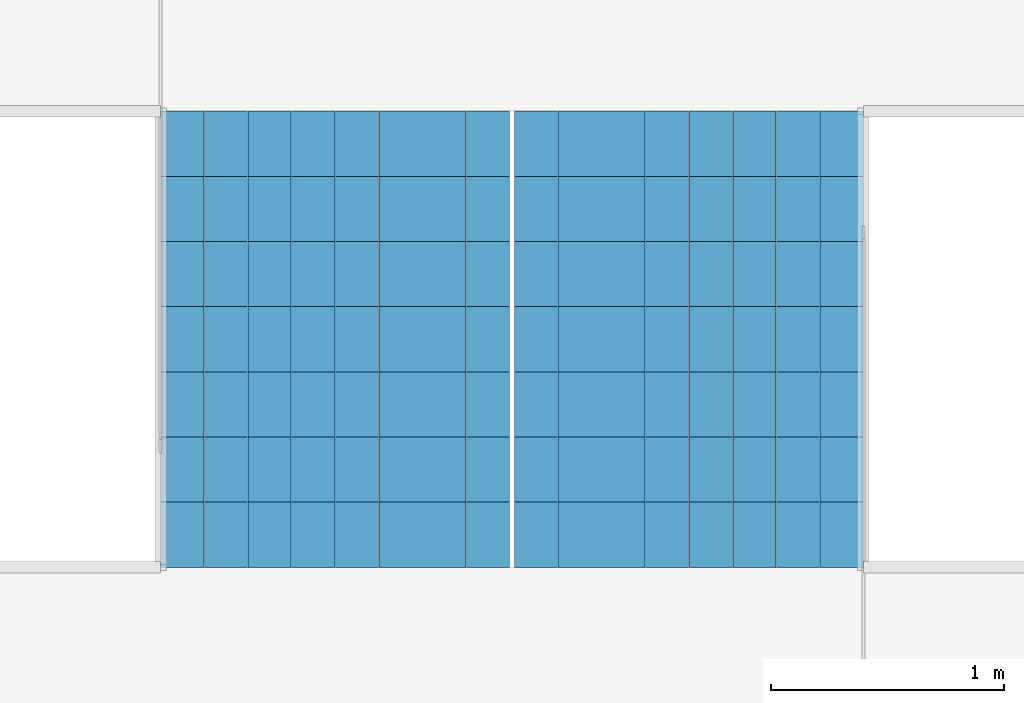
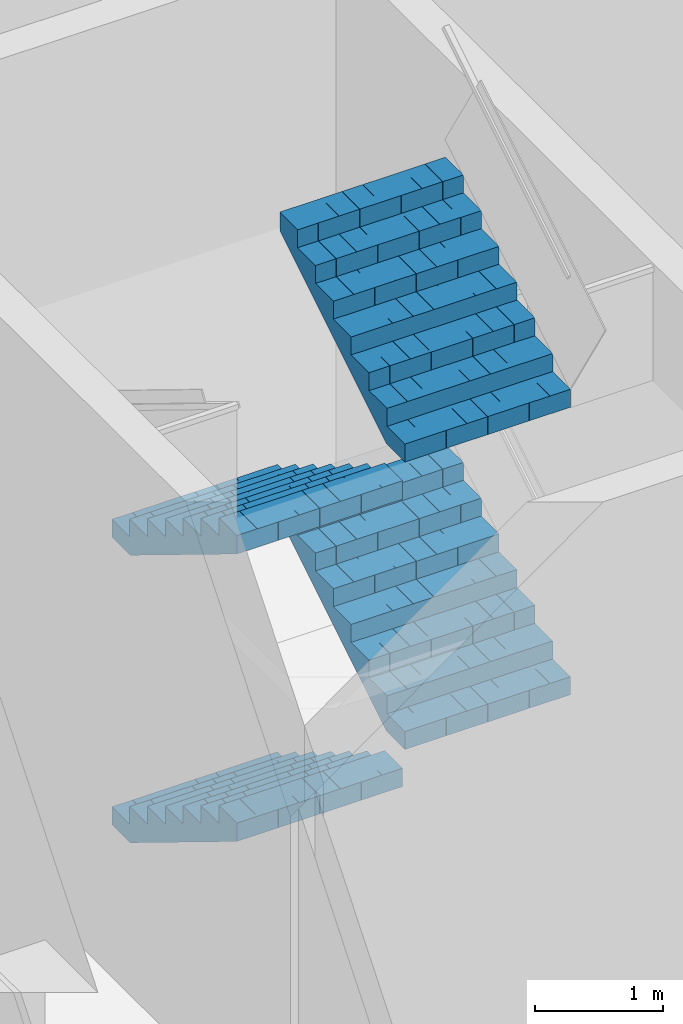
# One storey, part 25 of 27: 4 stair flights, 1 element without a shape of its own.
"""IFC4 building model written with IfcOpenShell, lengths in metres."""

import ifcopenshell
import ifcopenshell.guid

model = None  # the IFC model being written
_history = None  # IfcOwnerHistory: only IFC2X3 demands one
_inside = {}  # id of a spatial element -> (the spatial element, [elements in it])
_under = {}  # id of a project, library or spatial element -> (it, [spatial elements below it])
_declared = {}  # id of a project -> (the project, [libraries it declares])
_typed = {}  # id of a type object -> (the type object, [elements of that type])
_made_of = {}  # id of a material, layer set ... -> (it, [elements and type objects made of it])


def new_model(schema):
    """Start an empty IFC model of exactly this schema.

    Asked for "IFC4X3", IfcOpenShell would pick the latest addendum, in which some entities
    have other attributes; the version numbers below select the first issue.
    IFC2X3 requires an IfcOwnerHistory on every rooted entity: one is made here for all.
    """
    global model, _history
    if schema == "IFC4X3":
        model = ifcopenshell.file(schema_version=(4, 3, 0, 0))
    else:
        model = ifcopenshell.file(schema=schema)
    _inside.clear()
    _under.clear()
    _declared.clear()
    _typed.clear()
    _made_of.clear()
    _history = None
    if model.schema == "IFC2X3":
        org = make("IfcOrganization", Name="unknown")
        user = make(
            "IfcPersonAndOrganization",
            ThePerson=make("IfcPerson", FamilyName="unknown"),
            TheOrganization=org,
        )
        app = make(
            "IfcApplication",
            ApplicationDeveloper=org,
            Version="unknown",
            ApplicationFullName="unknown",
            ApplicationIdentifier="unknown",
        )
        _history = make(
            "IfcOwnerHistory",
            OwningUser=user,
            OwningApplication=app,
            ChangeAction="ADDED",
            CreationDate=0,
        )
    return model


def make(cls, **values):
    """One entity of the class cls with the attributes given. An attribute that is None is left unset."""
    return model.create_entity(
        cls, **{name: value for name, value in values.items() if value is not None}
    )


def rooted(cls, **values):
    """An entity with a GlobalId (a new one), such as an element, a storey or a relation."""
    return make(cls, GlobalId=ifcopenshell.guid.new(), OwnerHistory=_history, **values)


def si_unit(unit_type, name, prefix=None):
    """IfcSIUnit, for example si_unit("LENGTHUNIT", "METRE", prefix="MILLI")."""
    return make("IfcSIUnit", UnitType=unit_type, Prefix=prefix, Name=name)


def assignment(units):
    """IfcUnitAssignment: the units of a project."""
    return None if units is None else make("IfcUnitAssignment", Units=units)


def point(xyz):
    """IfcCartesianPoint."""
    return None if xyz is None else make("IfcCartesianPoint", Coordinates=xyz)


def direction(xyz):
    """IfcDirection."""
    return None if xyz is None else make("IfcDirection", DirectionRatios=xyz)


def frame(location, z_axis=None, x_axis=None):
    """IfcAxis2Placement3D, a coordinate frame: its origin and axes. An axis left out is left unset."""
    return make(
        "IfcAxis2Placement3D",
        Location=point(location),
        Axis=direction(z_axis),
        RefDirection=direction(x_axis),
    )


def origin():
    """The frame at (0, 0, 0) with its axes left unset."""
    return frame((0.0, 0.0, 0.0))


def place(relative_to, where):
    """IfcLocalPlacement: puts the frame where relative to a parent placement (None: the world)."""
    return make(
        "IfcLocalPlacement", PlacementRelTo=relative_to, RelativePlacement=where
    )


def context(
    kind, dimensions, precision=None, world=None, true_north=None, identifier=None
):
    """IfcGeometricRepresentationContext, for example the 3D "Model" context."""
    return make(
        "IfcGeometricRepresentationContext",
        ContextIdentifier=identifier,
        ContextType=kind,
        CoordinateSpaceDimension=dimensions,
        Precision=precision,
        WorldCoordinateSystem=world,
        TrueNorth=true_north,
    )


def subcontext(parent, identifier, kind, view, scale=None):
    """IfcGeometricRepresentationSubContext, for example "Body" below "Model"."""
    return make(
        "IfcGeometricRepresentationSubContext",
        ContextIdentifier=identifier,
        ContextType=kind,
        ParentContext=parent,
        TargetScale=scale,
        TargetView=view,
    )


def project(units=None, contexts=None):
    """IfcProject with its units and contexts."""
    return rooted(
        "IfcProject",
        Name="project",
        RepresentationContexts=contexts,
        UnitsInContext=assignment(units),
    )


def spatial(cls, under=None, at=None, **own):
    """A site, building, storey or space (cls), placed at a placement, below another one or the project."""
    s = rooted(cls, ObjectPlacement=at, **own)
    if under is not None:
        _under.setdefault(under.id(), (under, []))[1].append(s)
    return s


def polyline(points):
    """IfcPolyline through the points."""
    return make("IfcPolyline", Points=[point(p) for p in points])


def outline(outer, holes=None, kind="AREA"):
    """IfcArbitraryClosedProfileDef: a profile drawn as a closed curve; with holes, ...WithVoids."""
    if holes is None:
        return make("IfcArbitraryClosedProfileDef", ProfileType=kind, OuterCurve=outer)
    return make(
        "IfcArbitraryProfileDefWithVoids",
        ProfileType=kind,
        OuterCurve=outer,
        InnerCurves=holes,
    )


def extrude(swept, where, along, depth):
    """IfcExtrudedAreaSolid: the profile swept, set in the frame where, extruded along a direction by depth."""
    return make(
        "IfcExtrudedAreaSolid",
        SweptArea=swept,
        Position=where,
        ExtrudedDirection=direction(along),
        Depth=depth,
    )


def shape(context_of_items, identifier, shape_type, items):
    """IfcShapeRepresentation: the items that make up one representation, for example the "Body"."""
    return make(
        "IfcShapeRepresentation",
        ContextOfItems=context_of_items,
        RepresentationIdentifier=identifier,
        RepresentationType=shape_type,
        Items=items,
    )


def material(Name=None, Category=None):
    """IfcMaterial."""
    return make("IfcMaterial", Name=Name, Category=Category)


def made_of(thing, what):
    """Note that an element or type object is made of a material, layer set ...; save() writes the relation."""
    if what is not None:
        _made_of.setdefault(what.id(), (what, []))[1].append(thing)
    return thing


def type_object(cls, material=None, **own):
    """A type object (cls), such as IfcWallType, which elements share."""
    return made_of(rooted(cls, **own), material)


def element(
    cls,
    number,
    at=None,
    inside=None,
    cuts=None,
    type_object=None,
    material=None,
    context=None,
    identifier="Body",
    shape_type=None,
    held_by="IfcProductDefinitionShape",
    body=None,
    shapes=None,
    **own,
):
    """One element of the class cls, such as IfcWall. Its Tag is "e" and its number.

    at: its placement. inside: the storey or other place that contains it. cuts: it is an
    opening in that element (IfcRelVoidsElement). A single representation is given by context,
    identifier, shape_type and body (its items); several are given by shapes. held_by: the class
    of the entity that holds the representations. save() writes the other relations.
    """
    e = rooted(cls, Tag="e%d" % number, ObjectPlacement=at, **own)
    if body is not None:
        shapes = [shape(context, identifier, shape_type, body)]
    if shapes is not None:
        e.Representation = make(held_by, Representations=shapes)
    if inside is not None:
        _inside.setdefault(inside.id(), (inside, []))[1].append(e)
    if cuts is not None:
        rooted(
            "IfcRelVoidsElement", RelatingBuildingElement=cuts, RelatedOpeningElement=e
        )
    if type_object is not None:
        _typed.setdefault(type_object.id(), (type_object, []))[1].append(e)
    return made_of(e, material)


def aggregate(whole, parts):
    """IfcRelAggregates: a whole, such as a stair, and the parts it consists of."""
    return rooted("IfcRelAggregates", RelatingObject=whole, RelatedObjects=parts)


def save(model, path):
    """Write the relations noted so far, then the file.

    IfcRelAggregates (storeys below a building ...), IfcRelContainedInSpatialStructure (elements
    in a storey), IfcRelDefinesByType, IfcRelAssociatesMaterial and IfcRelDeclares: one each for
    every whole, place, type object, material and project.
    """
    for whole, parts in _under.values():
        aggregate(whole, parts)
    for where, things in _inside.values():
        rooted(
            "IfcRelContainedInSpatialStructure",
            RelatedElements=things,
            RelatingStructure=where,
        )
    for kind, things in _typed.values():
        rooted("IfcRelDefinesByType", RelatedObjects=things, RelatingType=kind)
    for what, things in _made_of.values():
        rooted("IfcRelAssociatesMaterial", RelatedObjects=things, RelatingMaterial=what)
    for by, libraries in _declared.values():
        rooted("IfcRelDeclares", RelatingContext=by, RelatedDefinitions=libraries)
    model.write(path)


model = new_model("IFC4")

# Units and contexts
model_context = context("Model", 3, precision=1e-05, world=origin(), true_north=direction((0.0, 1.0)))
body_context = subcontext(model_context, "Body", "Model", "MODEL_VIEW")
ifc_project = project(units=[si_unit("LENGTHUNIT", "METRE"), si_unit("AREAUNIT", "SQUARE_METRE"), si_unit("VOLUMEUNIT", "CUBIC_METRE"), si_unit("PLANEANGLEUNIT", "RADIAN"), si_unit("MASSUNIT", "GRAM", prefix="KILO")], contexts=[model_context])

# Site, building, storey
site_placement = place(None, origin())
site = spatial("IfcSite", under=ifc_project, at=site_placement, CompositionType="ELEMENT")
building_placement = place(site_placement, origin())
building = spatial("IfcBuilding", under=site, at=building_placement, Name="Kolab Exchange Tower", CompositionType="ELEMENT")
storey_placement = place(building_placement, frame((0.0, 0.0, 44.39990234375)))
storey = spatial("IfcBuildingStorey", under=building, at=storey_placement, Name="L08", CompositionType="ELEMENT", Elevation=44.39990234375)

# Stair, stair flights
ifc_material = material(Name="Concrete C50/60", Category="concrete")
stair_type = type_object("IfcStairType", Name="STAIR ST4 RISER 171.9", PredefinedType="DOUBLE_RETURN_STAIR", material=ifc_material)
stair_placement = place(storey_placement, origin())
stair = element("IfcStair", 1, at=stair_placement, inside=storey, type_object=stair_type, Name="Stair 4", PredefinedType="DOUBLE_RETURN_STAIR")
stair_flight_type = type_object("IfcStairFlightType", Name="STAIR FLIGHT 1500 RISER 171.9", PredefinedType="STRAIGHT", material=ifc_material)
stair_flight_1_placement = place(storey_placement, frame((18.43994140625, 0.64990234375, 0.0), z_axis=(0.0, 0.0, 1.0), x_axis=(0.0, -1.0, 0.0)))
stair_flight_1 = element("IfcStairFlight", 2, at=stair_flight_1_placement, type_object=stair_flight_type, Name="ST4 flight 1", NumberOfRisers=8, NumberOfTreads=7, PredefinedType="STRAIGHT", RiserHeight=0.171875, TreadLength=0.28, context=body_context, shape_type="SweptSolid", body=[
    extrude(outline(polyline([(0.0, 0.0), (0.0, 0.171875), (0.280029296875, 0.171875), (0.280029296875, 0.34375), (0.56005859375, 0.34375), (0.56005859375, 0.515625), (0.840087890625, 0.515625), (0.840087890625, 0.6875), (1.1201171875, 0.6875), (1.1201171875, 0.859375), (1.39990234375, 0.859375), (1.39990234375, 1.03125), (1.679931640625, 1.03125), (1.679931640625, 1.203125), (1.9599609375, 1.203125), (1.9599609375, 1.375), (1.9599609375, 1.02734375), (0.28662109375, 0.0), (0.0, 0.0)])), frame((0.0, 0.75, 0.0), z_axis=(0.0, -1.0, 0.0), x_axis=(1.0, 0.0, 0.0)), (0.0, 0.0, 1.0), 0.185791015625),
    extrude(outline(polyline([(0.0, 0.0), (0.0, 0.171875), (0.280029296875, 0.171875), (0.280029296875, 0.34375), (0.56005859375, 0.34375), (0.56005859375, 0.515625), (0.840087890625, 0.515625), (0.840087890625, 0.6875), (1.1201171875, 0.6875), (1.1201171875, 0.859375), (1.39990234375, 0.859375), (1.39990234375, 1.03125), (1.679931640625, 1.03125), (1.679931640625, 1.203125), (1.9599609375, 1.203125), (1.9599609375, 1.375), (1.9599609375, 1.02734375), (0.28662109375, 0.0), (0.0, 0.0)])), frame((0.0, 0.562255859375, 0.0), z_axis=(0.0, -1.0, 0.0), x_axis=(1.0, 0.0, 0.0)), (0.0, 0.0, 1.0), 0.185791015625),
    extrude(outline(polyline([(0.0, 0.0), (0.0, 0.171875), (0.280029296875, 0.171875), (0.280029296875, 0.34375), (0.56005859375, 0.34375), (0.56005859375, 0.515625), (0.840087890625, 0.515625), (0.840087890625, 0.6875), (1.1201171875, 0.6875), (1.1201171875, 0.859375), (1.39990234375, 0.859375), (1.39990234375, 1.03125), (1.679931640625, 1.03125), (1.679931640625, 1.203125), (1.9599609375, 1.203125), (1.9599609375, 1.375), (1.9599609375, 1.02734375), (0.28662109375, 0.0), (0.0, 0.0)])), frame((0.0, 0.37451171875, 0.0), z_axis=(0.0, -1.0, 0.0), x_axis=(1.0, 0.0, 0.0)), (0.0, 0.0, 1.0), 0.185791015625),
    extrude(outline(polyline([(0.0, 0.0), (0.0, 0.171875), (0.280029296875, 0.171875), (0.280029296875, 0.34375), (0.56005859375, 0.34375), (0.56005859375, 0.515625), (0.840087890625, 0.515625), (0.840087890625, 0.6875), (1.1201171875, 0.6875), (1.1201171875, 0.859375), (1.39990234375, 0.859375), (1.39990234375, 1.03125), (1.679931640625, 1.03125), (1.679931640625, 1.203125), (1.9599609375, 1.203125), (1.9599609375, 1.375), (1.9599609375, 1.02734375), (0.28662109375, 0.0), (0.0, 0.0)])), frame((0.0, 0.186767578125, 0.0), z_axis=(0.0, -1.0, 0.0), x_axis=(1.0, 0.0, 0.0)), (0.0, 0.0, 1.0), 0.185791015625),
    extrude(outline(polyline([(0.0, 0.0), (0.0, 0.171875), (0.280029296875, 0.171875), (0.280029296875, 0.34375), (0.56005859375, 0.34375), (0.56005859375, 0.515625), (0.840087890625, 0.515625), (0.840087890625, 0.6875), (1.1201171875, 0.6875), (1.1201171875, 0.859375), (1.39990234375, 0.859375), (1.39990234375, 1.03125), (1.679931640625, 1.03125), (1.679931640625, 1.203125), (1.9599609375, 1.203125), (1.9599609375, 1.375), (1.9599609375, 1.02734375), (0.28662109375, 0.0), (0.0, 0.0)])), frame((0.0, -0.0009765625, 0.0), z_axis=(0.0, -1.0, 0.0), x_axis=(1.0, 0.0, 0.0)), (0.0, 0.0, 1.0), 0.185791015625),
    extrude(outline(polyline([(0.0, 0.0), (0.0, 0.171875), (0.280029296875, 0.171875), (0.280029296875, 0.34375), (0.56005859375, 0.34375), (0.56005859375, 0.515625), (0.840087890625, 0.515625), (0.840087890625, 0.6875), (1.1201171875, 0.6875), (1.1201171875, 0.859375), (1.39990234375, 0.859375), (1.39990234375, 1.03125), (1.679931640625, 1.03125), (1.679931640625, 1.203125), (1.9599609375, 1.203125), (1.9599609375, 1.375), (1.9599609375, 1.02734375), (0.28662109375, 0.0), (0.0, 0.0)])), frame((0.0, -0.188720703125, 0.0), z_axis=(0.0, -1.0, 0.0), x_axis=(1.0, 0.0, 0.0)), (0.0, 0.0, 1.0), 0.185791015625),
    extrude(outline(polyline([(0.0, 0.0), (0.0, 0.171875), (0.280029296875, 0.171875), (0.280029296875, 0.34375), (0.56005859375, 0.34375), (0.56005859375, 0.515625), (0.840087890625, 0.515625), (0.840087890625, 0.6875), (1.1201171875, 0.6875), (1.1201171875, 0.859375), (1.39990234375, 0.859375), (1.39990234375, 1.03125), (1.679931640625, 1.03125), (1.679931640625, 1.203125), (1.9599609375, 1.203125), (1.9599609375, 1.375), (1.9599609375, 1.02734375), (0.28662109375, 0.0), (0.0, 0.0)])), frame((0.0, -0.37646484375, 0.0), z_axis=(0.0, -1.0, 0.0), x_axis=(1.0, 0.0, 0.0)), (0.0, 0.0, 1.0), 0.185791015625),
    extrude(outline(polyline([(0.0, 0.0), (0.0, 0.171875), (0.280029296875, 0.171875), (0.280029296875, 0.34375), (0.56005859375, 0.34375), (0.56005859375, 0.515625), (0.840087890625, 0.515625), (0.840087890625, 0.6875), (1.1201171875, 0.6875), (1.1201171875, 0.859375), (1.39990234375, 0.859375), (1.39990234375, 1.03125), (1.679931640625, 1.03125), (1.679931640625, 1.203125), (1.9599609375, 1.203125), (1.9599609375, 1.375), (1.9599609375, 1.02734375), (0.28662109375, 0.0), (0.0, 0.0)])), frame((0.0, -0.564208984375, 0.0), z_axis=(0.0, -1.0, 0.0), x_axis=(1.0, 0.0, 0.0)), (0.0, 0.0, 1.0), 0.185791015625),
])
stair_flight_2_placement = place(storey_placement, frame((19.9599609375, -1.31005859375, 1.375), z_axis=(0.0, 0.0, 1.0), x_axis=(0.0, 1.0, 0.0)))
stair_flight_2 = element("IfcStairFlight", 3, at=stair_flight_2_placement, type_object=stair_flight_type, Name="ST4 flight 2", NumberOfRisers=8, NumberOfTreads=7, PredefinedType="STRAIGHT", RiserHeight=0.171875, TreadLength=0.28, context=body_context, shape_type="SweptSolid", body=[
    extrude(outline(polyline([(0.0, 0.0), (0.0, 0.171875), (0.280029296875, 0.171875), (0.280029296875, 0.34375), (0.56005859375, 0.34375), (0.56005859375, 0.515625), (0.840087890625, 0.515625), (0.840087890625, 0.6875), (1.1201171875, 0.6875), (1.1201171875, 0.859375), (1.39990234375, 0.859375), (1.39990234375, 1.03125), (1.679931640625, 1.03125), (1.679931640625, 1.203125), (1.9599609375, 1.203125), (1.9599609375, 1.375), (1.9599609375, 1.02734375), (0.28662109375, 0.0), (0.0, 0.0)])), frame((0.0, 0.75, 0.0), z_axis=(0.0, -1.0, 0.0), x_axis=(1.0, 0.0, 0.0)), (0.0, 0.0, 1.0), 0.185791015625),
    extrude(outline(polyline([(0.0, 0.0), (0.0, 0.171875), (0.280029296875, 0.171875), (0.280029296875, 0.34375), (0.56005859375, 0.34375), (0.56005859375, 0.515625), (0.840087890625, 0.515625), (0.840087890625, 0.6875), (1.1201171875, 0.6875), (1.1201171875, 0.859375), (1.39990234375, 0.859375), (1.39990234375, 1.03125), (1.679931640625, 1.03125), (1.679931640625, 1.203125), (1.9599609375, 1.203125), (1.9599609375, 1.375), (1.9599609375, 1.02734375), (0.28662109375, 0.0), (0.0, 0.0)])), frame((0.0, 0.562255859375, 0.0), z_axis=(0.0, -1.0, 0.0), x_axis=(1.0, 0.0, 0.0)), (0.0, 0.0, 1.0), 0.185791015625),
    extrude(outline(polyline([(0.0, 0.0), (0.0, 0.171875), (0.280029296875, 0.171875), (0.280029296875, 0.34375), (0.56005859375, 0.34375), (0.56005859375, 0.515625), (0.840087890625, 0.515625), (0.840087890625, 0.6875), (1.1201171875, 0.6875), (1.1201171875, 0.859375), (1.39990234375, 0.859375), (1.39990234375, 1.03125), (1.679931640625, 1.03125), (1.679931640625, 1.203125), (1.9599609375, 1.203125), (1.9599609375, 1.375), (1.9599609375, 1.02734375), (0.28662109375, 0.0), (0.0, 0.0)])), frame((0.0, 0.37451171875, 0.0), z_axis=(0.0, -1.0, 0.0), x_axis=(1.0, 0.0, 0.0)), (0.0, 0.0, 1.0), 0.185791015625),
    extrude(outline(polyline([(0.0, 0.0), (0.0, 0.171875), (0.280029296875, 0.171875), (0.280029296875, 0.34375), (0.56005859375, 0.34375), (0.56005859375, 0.515625), (0.840087890625, 0.515625), (0.840087890625, 0.6875), (1.1201171875, 0.6875), (1.1201171875, 0.859375), (1.39990234375, 0.859375), (1.39990234375, 1.03125), (1.679931640625, 1.03125), (1.679931640625, 1.203125), (1.9599609375, 1.203125), (1.9599609375, 1.375), (1.9599609375, 1.02734375), (0.28662109375, 0.0), (0.0, 0.0)])), frame((0.0, 0.186767578125, 0.0), z_axis=(0.0, -1.0, 0.0), x_axis=(1.0, 0.0, 0.0)), (0.0, 0.0, 1.0), 0.185791015625),
    extrude(outline(polyline([(0.0, 0.0), (0.0, 0.171875), (0.280029296875, 0.171875), (0.280029296875, 0.34375), (0.56005859375, 0.34375), (0.56005859375, 0.515625), (0.840087890625, 0.515625), (0.840087890625, 0.6875), (1.1201171875, 0.6875), (1.1201171875, 0.859375), (1.39990234375, 0.859375), (1.39990234375, 1.03125), (1.679931640625, 1.03125), (1.679931640625, 1.203125), (1.9599609375, 1.203125), (1.9599609375, 1.375), (1.9599609375, 1.02734375), (0.28662109375, 0.0), (0.0, 0.0)])), frame((0.0, -0.0009765625, 0.0), z_axis=(0.0, -1.0, 0.0), x_axis=(1.0, 0.0, 0.0)), (0.0, 0.0, 1.0), 0.185791015625),
    extrude(outline(polyline([(0.0, 0.0), (0.0, 0.171875), (0.280029296875, 0.171875), (0.280029296875, 0.34375), (0.56005859375, 0.34375), (0.56005859375, 0.515625), (0.840087890625, 0.515625), (0.840087890625, 0.6875), (1.1201171875, 0.6875), (1.1201171875, 0.859375), (1.39990234375, 0.859375), (1.39990234375, 1.03125), (1.679931640625, 1.03125), (1.679931640625, 1.203125), (1.9599609375, 1.203125), (1.9599609375, 1.375), (1.9599609375, 1.02734375), (0.28662109375, 0.0), (0.0, 0.0)])), frame((0.0, -0.188720703125, 0.0), z_axis=(0.0, -1.0, 0.0), x_axis=(1.0, 0.0, 0.0)), (0.0, 0.0, 1.0), 0.185791015625),
    extrude(outline(polyline([(0.0, 0.0), (0.0, 0.171875), (0.280029296875, 0.171875), (0.280029296875, 0.34375), (0.56005859375, 0.34375), (0.56005859375, 0.515625), (0.840087890625, 0.515625), (0.840087890625, 0.6875), (1.1201171875, 0.6875), (1.1201171875, 0.859375), (1.39990234375, 0.859375), (1.39990234375, 1.03125), (1.679931640625, 1.03125), (1.679931640625, 1.203125), (1.9599609375, 1.203125), (1.9599609375, 1.375), (1.9599609375, 1.02734375), (0.28662109375, 0.0), (0.0, 0.0)])), frame((0.0, -0.37646484375, 0.0), z_axis=(0.0, -1.0, 0.0), x_axis=(1.0, 0.0, 0.0)), (0.0, 0.0, 1.0), 0.185791015625),
    extrude(outline(polyline([(0.0, 0.0), (0.0, 0.171875), (0.280029296875, 0.171875), (0.280029296875, 0.34375), (0.56005859375, 0.34375), (0.56005859375, 0.515625), (0.840087890625, 0.515625), (0.840087890625, 0.6875), (1.1201171875, 0.6875), (1.1201171875, 0.859375), (1.39990234375, 0.859375), (1.39990234375, 1.03125), (1.679931640625, 1.03125), (1.679931640625, 1.203125), (1.9599609375, 1.203125), (1.9599609375, 1.375), (1.9599609375, 1.02734375), (0.28662109375, 0.0), (0.0, 0.0)])), frame((0.0, -0.564208984375, 0.0), z_axis=(0.0, -1.0, 0.0), x_axis=(1.0, 0.0, 0.0)), (0.0, 0.0, 1.0), 0.185791015625),
])
stair_flight_3_placement = place(storey_placement, frame((18.43994140625, 0.64990234375, 2.75), z_axis=(0.0, 0.0, 1.0), x_axis=(0.0, -1.0, 0.0)))
stair_flight_3 = element("IfcStairFlight", 4, at=stair_flight_3_placement, type_object=stair_flight_type, Name="ST4 flight 3", NumberOfRisers=8, NumberOfTreads=7, PredefinedType="STRAIGHT", RiserHeight=0.171875, TreadLength=0.28, context=body_context, shape_type="SweptSolid", body=[
    extrude(outline(polyline([(0.0, 0.0), (0.0, 0.171875), (0.280029296875, 0.171875), (0.280029296875, 0.34375), (0.56005859375, 0.34375), (0.56005859375, 0.515625), (0.840087890625, 0.515625), (0.840087890625, 0.6875), (1.1201171875, 0.6875), (1.1201171875, 0.859375), (1.39990234375, 0.859375), (1.39990234375, 1.03125), (1.679931640625, 1.03125), (1.679931640625, 1.203125), (1.9599609375, 1.203125), (1.9599609375, 1.375), (1.9599609375, 1.02734375), (0.28662109375, 0.0), (0.0, 0.0)])), frame((0.0, 0.75, 0.0), z_axis=(0.0, -1.0, 0.0), x_axis=(1.0, 0.0, 0.0)), (0.0, 0.0, 1.0), 0.185791015625),
    extrude(outline(polyline([(0.0, 0.0), (0.0, 0.171875), (0.280029296875, 0.171875), (0.280029296875, 0.34375), (0.56005859375, 0.34375), (0.56005859375, 0.515625), (0.840087890625, 0.515625), (0.840087890625, 0.6875), (1.1201171875, 0.6875), (1.1201171875, 0.859375), (1.39990234375, 0.859375), (1.39990234375, 1.03125), (1.679931640625, 1.03125), (1.679931640625, 1.203125), (1.9599609375, 1.203125), (1.9599609375, 1.375), (1.9599609375, 1.02734375), (0.28662109375, 0.0), (0.0, 0.0)])), frame((0.0, 0.562255859375, 0.0), z_axis=(0.0, -1.0, 0.0), x_axis=(1.0, 0.0, 0.0)), (0.0, 0.0, 1.0), 0.185791015625),
    extrude(outline(polyline([(0.0, 0.0), (0.0, 0.171875), (0.280029296875, 0.171875), (0.280029296875, 0.34375), (0.56005859375, 0.34375), (0.56005859375, 0.515625), (0.840087890625, 0.515625), (0.840087890625, 0.6875), (1.1201171875, 0.6875), (1.1201171875, 0.859375), (1.39990234375, 0.859375), (1.39990234375, 1.03125), (1.679931640625, 1.03125), (1.679931640625, 1.203125), (1.9599609375, 1.203125), (1.9599609375, 1.375), (1.9599609375, 1.02734375), (0.28662109375, 0.0), (0.0, 0.0)])), frame((0.0, 0.37451171875, 0.0), z_axis=(0.0, -1.0, 0.0), x_axis=(1.0, 0.0, 0.0)), (0.0, 0.0, 1.0), 0.185791015625),
    extrude(outline(polyline([(0.0, 0.0), (0.0, 0.171875), (0.280029296875, 0.171875), (0.280029296875, 0.34375), (0.56005859375, 0.34375), (0.56005859375, 0.515625), (0.840087890625, 0.515625), (0.840087890625, 0.6875), (1.1201171875, 0.6875), (1.1201171875, 0.859375), (1.39990234375, 0.859375), (1.39990234375, 1.03125), (1.679931640625, 1.03125), (1.679931640625, 1.203125), (1.9599609375, 1.203125), (1.9599609375, 1.375), (1.9599609375, 1.02734375), (0.28662109375, 0.0), (0.0, 0.0)])), frame((0.0, 0.186767578125, 0.0), z_axis=(0.0, -1.0, 0.0), x_axis=(1.0, 0.0, 0.0)), (0.0, 0.0, 1.0), 0.185791015625),
    extrude(outline(polyline([(0.0, 0.0), (0.0, 0.171875), (0.280029296875, 0.171875), (0.280029296875, 0.34375), (0.56005859375, 0.34375), (0.56005859375, 0.515625), (0.840087890625, 0.515625), (0.840087890625, 0.6875), (1.1201171875, 0.6875), (1.1201171875, 0.859375), (1.39990234375, 0.859375), (1.39990234375, 1.03125), (1.679931640625, 1.03125), (1.679931640625, 1.203125), (1.9599609375, 1.203125), (1.9599609375, 1.375), (1.9599609375, 1.02734375), (0.28662109375, 0.0), (0.0, 0.0)])), frame((0.0, -0.0009765625, 0.0), z_axis=(0.0, -1.0, 0.0), x_axis=(1.0, 0.0, 0.0)), (0.0, 0.0, 1.0), 0.185791015625),
    extrude(outline(polyline([(0.0, 0.0), (0.0, 0.171875), (0.280029296875, 0.171875), (0.280029296875, 0.34375), (0.56005859375, 0.34375), (0.56005859375, 0.515625), (0.840087890625, 0.515625), (0.840087890625, 0.6875), (1.1201171875, 0.6875), (1.1201171875, 0.859375), (1.39990234375, 0.859375), (1.39990234375, 1.03125), (1.679931640625, 1.03125), (1.679931640625, 1.203125), (1.9599609375, 1.203125), (1.9599609375, 1.375), (1.9599609375, 1.02734375), (0.28662109375, 0.0), (0.0, 0.0)])), frame((0.0, -0.188720703125, 0.0), z_axis=(0.0, -1.0, 0.0), x_axis=(1.0, 0.0, 0.0)), (0.0, 0.0, 1.0), 0.185791015625),
    extrude(outline(polyline([(0.0, 0.0), (0.0, 0.171875), (0.280029296875, 0.171875), (0.280029296875, 0.34375), (0.56005859375, 0.34375), (0.56005859375, 0.515625), (0.840087890625, 0.515625), (0.840087890625, 0.6875), (1.1201171875, 0.6875), (1.1201171875, 0.859375), (1.39990234375, 0.859375), (1.39990234375, 1.03125), (1.679931640625, 1.03125), (1.679931640625, 1.203125), (1.9599609375, 1.203125), (1.9599609375, 1.375), (1.9599609375, 1.02734375), (0.28662109375, 0.0), (0.0, 0.0)])), frame((0.0, -0.37646484375, 0.0), z_axis=(0.0, -1.0, 0.0), x_axis=(1.0, 0.0, 0.0)), (0.0, 0.0, 1.0), 0.185791015625),
    extrude(outline(polyline([(0.0, 0.0), (0.0, 0.171875), (0.280029296875, 0.171875), (0.280029296875, 0.34375), (0.56005859375, 0.34375), (0.56005859375, 0.515625), (0.840087890625, 0.515625), (0.840087890625, 0.6875), (1.1201171875, 0.6875), (1.1201171875, 0.859375), (1.39990234375, 0.859375), (1.39990234375, 1.03125), (1.679931640625, 1.03125), (1.679931640625, 1.203125), (1.9599609375, 1.203125), (1.9599609375, 1.375), (1.9599609375, 1.02734375), (0.28662109375, 0.0), (0.0, 0.0)])), frame((0.0, -0.564208984375, 0.0), z_axis=(0.0, -1.0, 0.0), x_axis=(1.0, 0.0, 0.0)), (0.0, 0.0, 1.0), 0.185791015625),
])
stair_flight_4_placement = place(storey_placement, frame((19.9599609375, -1.31005859375, 4.125), z_axis=(0.0, 0.0, 1.0), x_axis=(0.0, 1.0, 0.0)))
stair_flight_4 = element("IfcStairFlight", 5, at=stair_flight_4_placement, type_object=stair_flight_type, Name="ST4 flight 4", NumberOfRisers=8, NumberOfTreads=7, PredefinedType="STRAIGHT", RiserHeight=0.171875, TreadLength=0.28, context=body_context, shape_type="SweptSolid", body=[
    extrude(outline(polyline([(0.0, 0.0), (0.0, 0.171875), (0.280029296875, 0.171875), (0.280029296875, 0.34375), (0.56005859375, 0.34375), (0.56005859375, 0.515625), (0.840087890625, 0.515625), (0.840087890625, 0.6875), (1.1201171875, 0.6875), (1.1201171875, 0.859375), (1.39990234375, 0.859375), (1.39990234375, 1.03125), (1.679931640625, 1.03125), (1.679931640625, 1.203125), (1.9599609375, 1.203125), (1.9599609375, 1.375), (1.9599609375, 1.02734375), (0.28662109375, 0.0), (0.0, 0.0)])), frame((0.0, 0.75, 0.0), z_axis=(0.0, -1.0, 0.0), x_axis=(1.0, 0.0, 0.0)), (0.0, 0.0, 1.0), 0.185791015625),
    extrude(outline(polyline([(0.0, 0.0), (0.0, 0.171875), (0.280029296875, 0.171875), (0.280029296875, 0.34375), (0.56005859375, 0.34375), (0.56005859375, 0.515625), (0.840087890625, 0.515625), (0.840087890625, 0.6875), (1.1201171875, 0.6875), (1.1201171875, 0.859375), (1.39990234375, 0.859375), (1.39990234375, 1.03125), (1.679931640625, 1.03125), (1.679931640625, 1.203125), (1.9599609375, 1.203125), (1.9599609375, 1.375), (1.9599609375, 1.02734375), (0.28662109375, 0.0), (0.0, 0.0)])), frame((0.0, 0.562255859375, 0.0), z_axis=(0.0, -1.0, 0.0), x_axis=(1.0, 0.0, 0.0)), (0.0, 0.0, 1.0), 0.185791015625),
    extrude(outline(polyline([(0.0, 0.0), (0.0, 0.171875), (0.280029296875, 0.171875), (0.280029296875, 0.34375), (0.56005859375, 0.34375), (0.56005859375, 0.515625), (0.840087890625, 0.515625), (0.840087890625, 0.6875), (1.1201171875, 0.6875), (1.1201171875, 0.859375), (1.39990234375, 0.859375), (1.39990234375, 1.03125), (1.679931640625, 1.03125), (1.679931640625, 1.203125), (1.9599609375, 1.203125), (1.9599609375, 1.375), (1.9599609375, 1.02734375), (0.28662109375, 0.0), (0.0, 0.0)])), frame((0.0, 0.37451171875, 0.0), z_axis=(0.0, -1.0, 0.0), x_axis=(1.0, 0.0, 0.0)), (0.0, 0.0, 1.0), 0.185791015625),
    extrude(outline(polyline([(0.0, 0.0), (0.0, 0.171875), (0.280029296875, 0.171875), (0.280029296875, 0.34375), (0.56005859375, 0.34375), (0.56005859375, 0.515625), (0.840087890625, 0.515625), (0.840087890625, 0.6875), (1.1201171875, 0.6875), (1.1201171875, 0.859375), (1.39990234375, 0.859375), (1.39990234375, 1.03125), (1.679931640625, 1.03125), (1.679931640625, 1.203125), (1.9599609375, 1.203125), (1.9599609375, 1.375), (1.9599609375, 1.02734375), (0.28662109375, 0.0), (0.0, 0.0)])), frame((0.0, 0.186767578125, 0.0), z_axis=(0.0, -1.0, 0.0), x_axis=(1.0, 0.0, 0.0)), (0.0, 0.0, 1.0), 0.185791015625),
    extrude(outline(polyline([(0.0, 0.0), (0.0, 0.171875), (0.280029296875, 0.171875), (0.280029296875, 0.34375), (0.56005859375, 0.34375), (0.56005859375, 0.515625), (0.840087890625, 0.515625), (0.840087890625, 0.6875), (1.1201171875, 0.6875), (1.1201171875, 0.859375), (1.39990234375, 0.859375), (1.39990234375, 1.03125), (1.679931640625, 1.03125), (1.679931640625, 1.203125), (1.9599609375, 1.203125), (1.9599609375, 1.375), (1.9599609375, 1.02734375), (0.28662109375, 0.0), (0.0, 0.0)])), frame((0.0, -0.0009765625, 0.0), z_axis=(0.0, -1.0, 0.0), x_axis=(1.0, 0.0, 0.0)), (0.0, 0.0, 1.0), 0.185791015625),
    extrude(outline(polyline([(0.0, 0.0), (0.0, 0.171875), (0.280029296875, 0.171875), (0.280029296875, 0.34375), (0.56005859375, 0.34375), (0.56005859375, 0.515625), (0.840087890625, 0.515625), (0.840087890625, 0.6875), (1.1201171875, 0.6875), (1.1201171875, 0.859375), (1.39990234375, 0.859375), (1.39990234375, 1.03125), (1.679931640625, 1.03125), (1.679931640625, 1.203125), (1.9599609375, 1.203125), (1.9599609375, 1.375), (1.9599609375, 1.02734375), (0.28662109375, 0.0), (0.0, 0.0)])), frame((0.0, -0.188720703125, 0.0), z_axis=(0.0, -1.0, 0.0), x_axis=(1.0, 0.0, 0.0)), (0.0, 0.0, 1.0), 0.185791015625),
    extrude(outline(polyline([(0.0, 0.0), (0.0, 0.171875), (0.280029296875, 0.171875), (0.280029296875, 0.34375), (0.56005859375, 0.34375), (0.56005859375, 0.515625), (0.840087890625, 0.515625), (0.840087890625, 0.6875), (1.1201171875, 0.6875), (1.1201171875, 0.859375), (1.39990234375, 0.859375), (1.39990234375, 1.03125), (1.679931640625, 1.03125), (1.679931640625, 1.203125), (1.9599609375, 1.203125), (1.9599609375, 1.375), (1.9599609375, 1.02734375), (0.28662109375, 0.0), (0.0, 0.0)])), frame((0.0, -0.37646484375, 0.0), z_axis=(0.0, -1.0, 0.0), x_axis=(1.0, 0.0, 0.0)), (0.0, 0.0, 1.0), 0.185791015625),
    extrude(outline(polyline([(0.0, 0.0), (0.0, 0.171875), (0.280029296875, 0.171875), (0.280029296875, 0.34375), (0.56005859375, 0.34375), (0.56005859375, 0.515625), (0.840087890625, 0.515625), (0.840087890625, 0.6875), (1.1201171875, 0.6875), (1.1201171875, 0.859375), (1.39990234375, 0.859375), (1.39990234375, 1.03125), (1.679931640625, 1.03125), (1.679931640625, 1.203125), (1.9599609375, 1.203125), (1.9599609375, 1.375), (1.9599609375, 1.02734375), (0.28662109375, 0.0), (0.0, 0.0)])), frame((0.0, -0.564208984375, 0.0), z_axis=(0.0, -1.0, 0.0), x_axis=(1.0, 0.0, 0.0)), (0.0, 0.0, 1.0), 0.185791015625),
])
aggregate(stair, [stair_flight_1, stair_flight_2, stair_flight_3, stair_flight_4])

save(model, "model.ifc")
